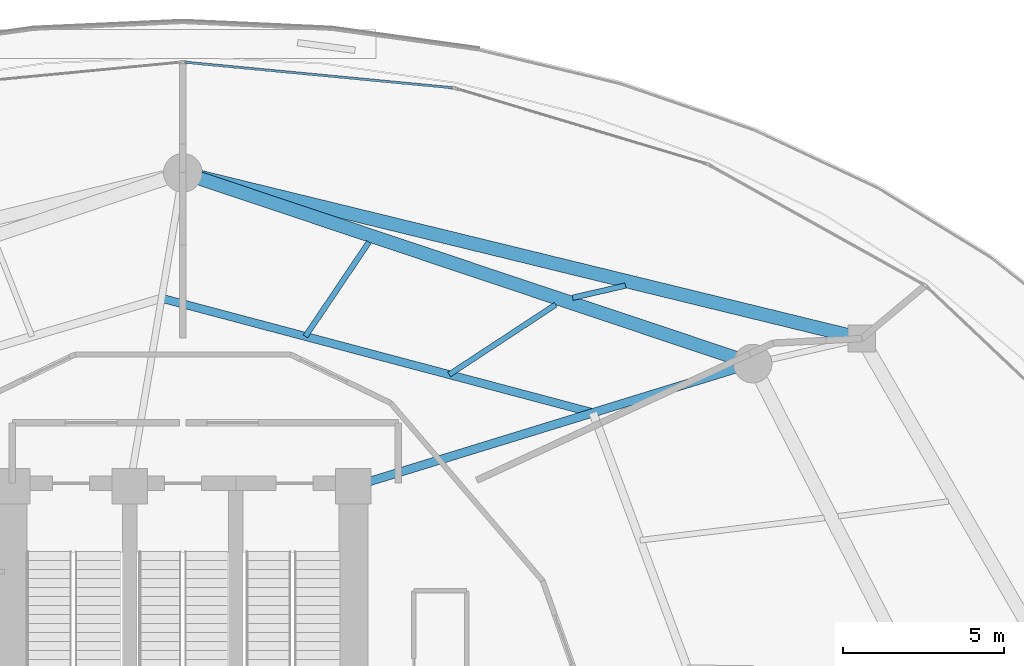
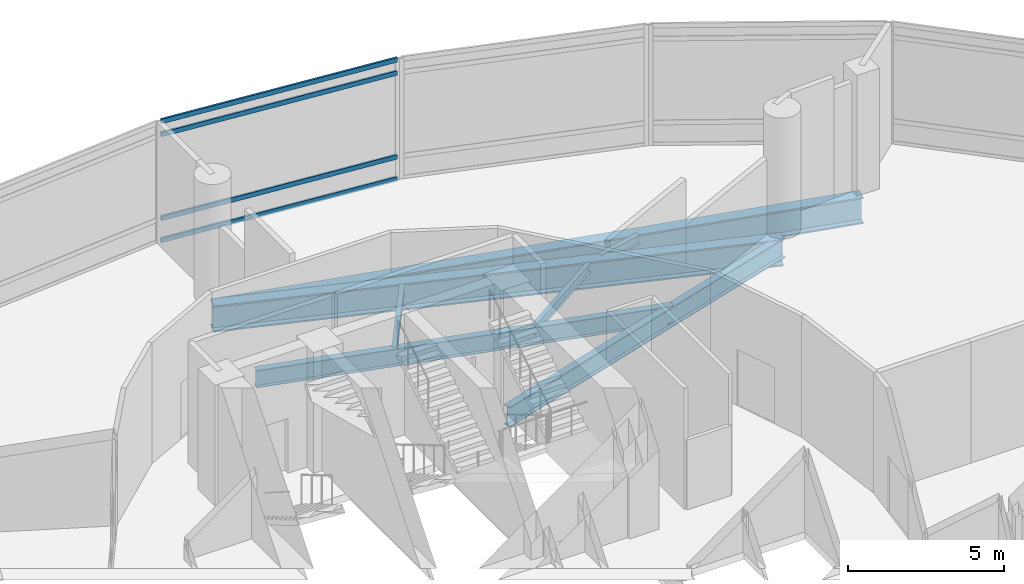
# One storey, part 18 of 34: 7 beams, 4 members, 1 element without a shape of its own.
"""IFC4 building model written with IfcOpenShell, lengths in metres."""

from ifc_helpers import new_model, si_unit, direction, frame, origin, origin_2d, place, context, subcontext, project, spatial, hollow_rectangle, i_section, extrude, material, layer, layer_set, material_profile, profile_set, type_object, element, aggregate, save


model = new_model("IFC4")

# Units and contexts
model_context = context("Model", 3, precision=1e-05, world=origin(), true_north=direction((0.0, 1.0)))
body_context = subcontext(model_context, "Body", "Model", "MODEL_VIEW")
ifc_project = project(units=[si_unit("LENGTHUNIT", "METRE"), si_unit("AREAUNIT", "SQUARE_METRE"), si_unit("VOLUMEUNIT", "CUBIC_METRE"), si_unit("PLANEANGLEUNIT", "RADIAN"), si_unit("MASSUNIT", "GRAM", prefix="KILO")], contexts=[model_context])

# Site, building, storey
site_placement = place(None, origin())
site = spatial("IfcSite", under=ifc_project, at=site_placement, CompositionType="ELEMENT")
building_placement = place(site_placement, origin())
building = spatial("IfcBuilding", under=site, at=building_placement, Name="Nuhasar Tower", CompositionType="ELEMENT")
storey_placement = place(building_placement, frame((0.0, 0.0, 16.0)))
storey = spatial("IfcBuildingStorey", under=building, at=storey_placement, Name="L03", CompositionType="ELEMENT", Elevation=16.0)

# Beams
ifc_material_1 = material(Name="Steel S355", Category="steel")
ifc_material_profile_1 = material_profile(ifc_material_1, i_section(OverallWidth=0.25390625, OverallDepth=0.68408203125, WebThickness=0.012451171875, FlangeThickness=0.018798828125, at=origin_2d()), Name="W27X94")
ifc_profile_set_1 = profile_set([ifc_material_profile_1], Name="Steel S355")
beam_type_1 = type_object("IfcBeamType", Name="BM-INRING-W27X94", PredefinedType="BEAM", material=ifc_profile_set_1)
beam_1_placement = place(storey_placement, frame((51.748046875, 39.591064453125, -0.64208984375), z_axis=(-0.96653253005, 0.256544086574, 0.0), x_axis=(-0.256544086574, -0.96653253005, 0.0)))
element("IfcBeam", 1, at=beam_1_placement, inside=storey, type_object=beam_type_1, Name="L03 Inner Header Beam 05", PredefinedType="BEAM", context=body_context, shape_type="SweptSolid", body=[
    extrude(i_section(OverallWidth=0.25390625, OverallDepth=0.68408203125, WebThickness=0.012451171875, FlangeThickness=0.018798828125, at=origin_2d()), origin(), (0.0, 0.0, 1.0), 13.872314453125),
])
ifc_material_profile_2 = material_profile(ifc_material_1, i_section(OverallWidth=0.1708984375, OverallDepth=0.35205078125, WebThickness=0.0068359375, FlangeThickness=0.009765625, at=origin_2d()), Name="W14X30")
ifc_profile_set_2 = profile_set([ifc_material_profile_2], Name="Steel S355")
beam_type_2 = type_object("IfcBeamType", Name="BM-JST-W14X30", PredefinedType="JOIST", material=ifc_profile_set_2)
beam_2_placement = place(storey_placement, frame((47.279052734375, 40.777099609375, -0.47607421875), z_axis=(0.835823449521, 0.548998325345, 0.0), x_axis=(-0.548998325345, 0.835823449521, 0.0)))
element("IfcBeam", 2, at=beam_2_placement, inside=storey, type_object=beam_type_2, Name="L03 Secondary Floor Joist 09", PredefinedType="JOIST", context=body_context, shape_type="SweptSolid", body=[
    extrude(i_section(OverallWidth=0.1708984375, OverallDepth=0.35205078125, WebThickness=0.0068359375, FlangeThickness=0.009765625, at=origin_2d()), origin(), (0.0, 0.0, 1.0), 3.96142578125),
])
beam_3_placement = place(storey_placement, frame((42.80908203125, 41.964111328125, -0.47607421875), z_axis=(0.558852429743, 0.82926712329, 0.0), x_axis=(-0.82926712329, 0.558852429743, 0.0)))
element("IfcBeam", 3, at=beam_3_placement, inside=storey, type_object=beam_type_2, Name="L03 Secondary Floor Joist 10", PredefinedType="JOIST", context=body_context, shape_type="SweptSolid", body=[
    extrude(i_section(OverallWidth=0.1708984375, OverallDepth=0.35205078125, WebThickness=0.0068359375, FlangeThickness=0.009765625, at=origin_2d()), origin(), (0.0, 0.0, 1.0), 3.535400390625),
])
beam_4_placement = place(storey_placement, frame((51.117919921875, 43.1669921875, -0.47607421875), z_axis=(0.974707362728, 0.223485026441, 0.0), x_axis=(-0.223485026441, 0.974707362728, 0.0)))
element("IfcBeam", 4, at=beam_4_placement, inside=storey, type_object=beam_type_2, Name="L03 Podium Secondary Joist 09", PredefinedType="JOIST", context=body_context, shape_type="SweptSolid", body=[
    extrude(i_section(OverallWidth=0.1708984375, OverallDepth=0.35205078125, WebThickness=0.0068359375, FlangeThickness=0.009765625, at=origin_2d()), origin(), (0.0, 0.0, 1.0), 1.686767578125),
])
ifc_material_profile_3 = material_profile(ifc_material_1, i_section(OverallWidth=0.26611328125, OverallDepth=0.779052734375, WebThickness=0.0166015625, FlangeThickness=0.030029296875, at=origin_2d()), Name="W30X148")
ifc_profile_set_3 = profile_set([ifc_material_profile_3], Name="Steel S355")
beam_type_3 = type_object("IfcBeamType", Name="BM-RAD-W30X148", PredefinedType="BEAM", material=ifc_profile_set_3)
beam_5_placement = place(storey_placement, frame((44.300048828125, 37.300048828125, -0.68994140625), z_axis=(0.955789576103, 0.294051502653, 0.0), x_axis=(-0.294051502653, 0.955789576103, 0.0)))
element("IfcBeam", 5, at=beam_5_placement, inside=storey, type_object=beam_type_3, Name="L03 Radial Floor Girder 05", PredefinedType="BEAM", context=body_context, shape_type="SweptSolid", body=[
    extrude(i_section(OverallWidth=0.26611328125, OverallDepth=0.779052734375, WebThickness=0.0166015625, FlangeThickness=0.030029296875, at=origin_2d()), origin(), (0.0, 0.0, 1.0), 12.987060546875),
])
ifc_material_2 = material(Name="Steel S460", Category="steel")
ifc_material_profile_4 = material_profile(ifc_material_2, i_section(OverallWidth=0.419921875, OverallDepth=1.0400390625, WebThickness=0.031005859375, FlangeThickness=0.055908203125, at=origin_2d()), Name="W40X397")
ifc_profile_set_4 = profile_set([ifc_material_profile_4], Name="Steel S460")
beam_type_4 = type_object("IfcBeamType", Name="BM-XFER-W40X397", PredefinedType="USERDEFINED", material=ifc_profile_set_4)
beam_6_placement = place(storey_placement, frame((56.712890625, 41.118896484375, -0.820068359375), z_axis=(-0.948251107254, 0.317521397062, 0.0), x_axis=(-0.317521397062, -0.948251107254, 0.0)))
element("IfcBeam", 6, at=beam_6_placement, inside=storey, type_object=beam_type_4, Name="L03 Mega-Column Ring Girder 05", ObjectType="GIRDER", PredefinedType="USERDEFINED", context=body_context, shape_type="SweptSolid", body=[
    extrude(i_section(OverallWidth=0.419921875, OverallDepth=1.0400390625, WebThickness=0.031005859375, FlangeThickness=0.055908203125, at=origin_2d()), origin(), (0.0, 0.0, 1.0), 18.679443359375),
])
beam_7_placement = place(storey_placement, frame((60.10693359375, 41.89697265625, -0.820068359375), z_axis=(-0.971466874575, 0.23717527612, 0.0), x_axis=(-0.23717527612, -0.971466874575, 0.0)))
element("IfcBeam", 7, at=beam_7_placement, inside=storey, type_object=beam_type_4, Name="L03 Podium Ring Girder 05", ObjectType="GIRDER", PredefinedType="USERDEFINED", context=body_context, shape_type="SweptSolid", body=[
    extrude(i_section(OverallWidth=0.419921875, OverallDepth=1.0400390625, WebThickness=0.031005859375, FlangeThickness=0.055908203125, at=origin_2d()), origin(), (0.0, 0.0, 1.0), 21.726806640625),
])

# Curtain wall, members
ifc_material_3 = material(Name="Aluminium 6063-T6", Category="aluminium")
ifc_layer = layer(ifc_material_3, 0.219970703125)
ifc_layer_set = layer_set([ifc_layer], Name="Aluminium 6063-T6")
curtain_wall_type = type_object("IfcCurtainWallType", Name="CW-PODIUM", PredefinedType="NOTDEFINED", material=ifc_layer_set)
curtain_wall_placement = place(storey_placement, origin())
curtain_wall = element("IfcCurtainWall", 8, at=curtain_wall_placement, inside=storey, type_object=curtain_wall_type, Name="L03 Podium Curtain Wall Bay 06", PredefinedType="NOTDEFINED")
ifc_material_profile_5 = material_profile(ifc_material_3, hollow_rectangle(XDim=0.074951171875, YDim=0.179931640625, WallThickness=0.00439453125, at=origin_2d()), Name="CWT-1")
ifc_profile_set_5 = profile_set([ifc_material_profile_5], Name="Aluminium 6063-T6")
member_type = type_object("IfcMemberType", Name="CW-TRN-S1", PredefinedType="USERDEFINED", material=ifc_profile_set_5)
member_1_placement = place(storey_placement, frame((47.373291015625, 49.690185546875, 0.03759765625), z_axis=(-0.995468449453, 0.095092408443, 0.0), x_axis=(-0.095092408443, -0.995468449453, 0.0)))
member_1 = element("IfcMember", 9, at=member_1_placement, type_object=member_type, Name="CW-P1 transom 1.1", ObjectType="TRANSOM", PredefinedType="USERDEFINED", context=body_context, shape_type="SweptSolid", body=[
    extrude(hollow_rectangle(XDim=0.074951171875, YDim=0.179931640625, WallThickness=0.00439453125, at=origin_2d()), origin(), (0.0, 0.0, 1.0), 8.33642578125),
])
member_2_placement = place(storey_placement, frame((47.373291015625, 49.690185546875, 0.89990234375), z_axis=(-0.995468449453, 0.095092408443, 0.0), x_axis=(-0.095092408443, -0.995468449453, 0.0)))
member_2 = element("IfcMember", 10, at=member_2_placement, type_object=member_type, Name="CW-P1 transom 1.2", ObjectType="TRANSOM", PredefinedType="USERDEFINED", context=body_context, shape_type="SweptSolid", body=[
    extrude(hollow_rectangle(XDim=0.074951171875, YDim=0.179931640625, WallThickness=0.00439453125, at=origin_2d()), origin(), (0.0, 0.0, 1.0), 8.33642578125),
])
member_3_placement = place(storey_placement, frame((47.373291015625, 49.690185546875, 4.18994140625), z_axis=(-0.995468449453, 0.095092408443, 0.0), x_axis=(-0.095092408443, -0.995468449453, 0.0)))
member_3 = element("IfcMember", 11, at=member_3_placement, type_object=member_type, Name="CW-P1 transom 1.3", ObjectType="TRANSOM", PredefinedType="USERDEFINED", context=body_context, shape_type="SweptSolid", body=[
    extrude(hollow_rectangle(XDim=0.074951171875, YDim=0.179931640625, WallThickness=0.00439453125, at=origin_2d()), origin(), (0.0, 0.0, 1.0), 8.33642578125),
])
member_4_placement = place(storey_placement, frame((47.373291015625, 49.690185546875, 4.702392578125), z_axis=(-0.995468449453, 0.095092408443, 0.0), x_axis=(-0.095092408443, -0.995468449453, 0.0)))
member_4 = element("IfcMember", 12, at=member_4_placement, type_object=member_type, Name="CW-P1 transom 1.4", ObjectType="TRANSOM", PredefinedType="USERDEFINED", context=body_context, shape_type="SweptSolid", body=[
    extrude(hollow_rectangle(XDim=0.074951171875, YDim=0.179931640625, WallThickness=0.00439453125, at=origin_2d()), origin(), (0.0, 0.0, 1.0), 8.33642578125),
])
aggregate(curtain_wall, [member_1, member_2, member_3, member_4])

save(model, "model.ifc")
